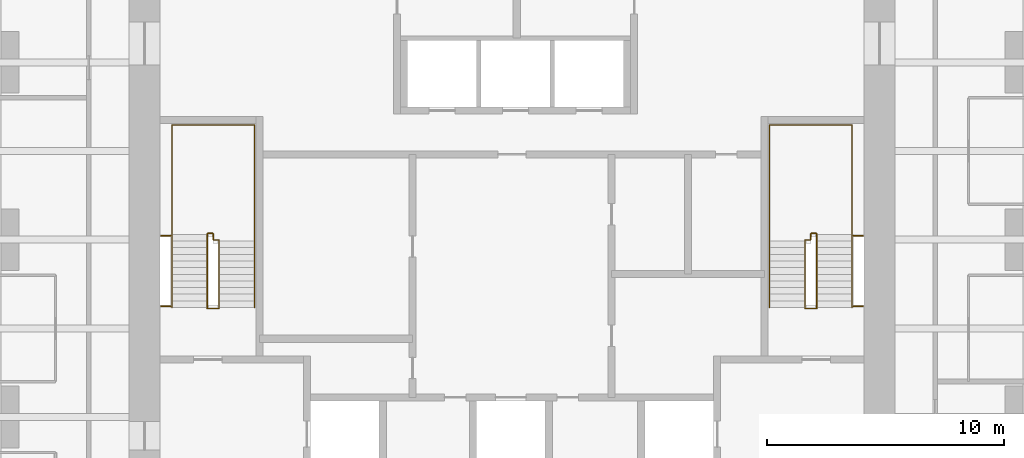
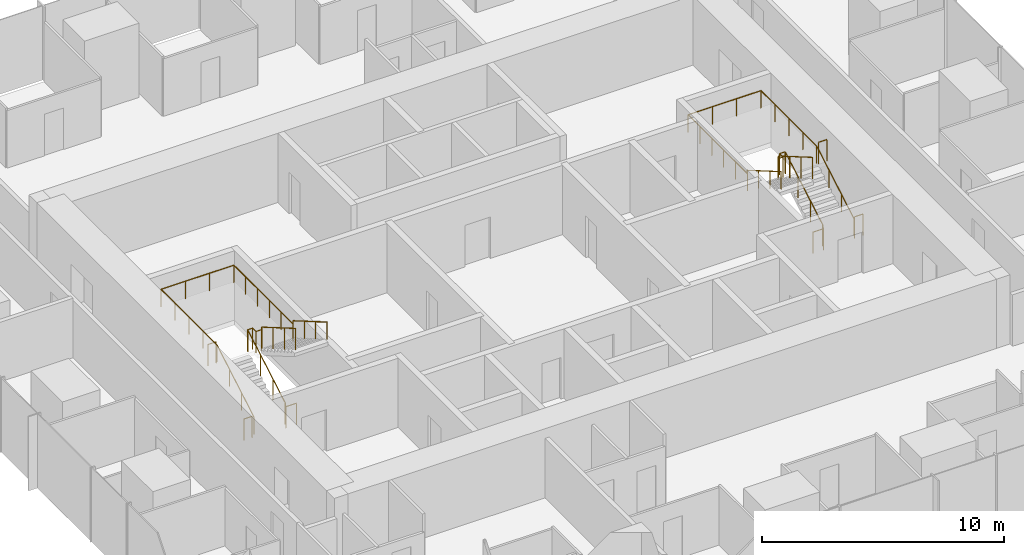
# One storey, part 12 of 12: 8 railings.
"""IFC4 building model written with IfcOpenShell, lengths in metres."""

from ifc_helpers import new_model, si_unit, direction, frame, origin, origin_2d, place, context, subcontext, project, spatial, circle, extrude, material, type_object, element, save


model = new_model("IFC4")

# Units and contexts
model_context = context("Model", 3, precision=1e-05, world=origin(), true_north=direction((0.0, 1.0)))
body_context = subcontext(model_context, "Body", "Model", "MODEL_VIEW")
ifc_project = project(units=[si_unit("LENGTHUNIT", "METRE"), si_unit("AREAUNIT", "SQUARE_METRE"), si_unit("VOLUMEUNIT", "CUBIC_METRE"), si_unit("PLANEANGLEUNIT", "RADIAN"), si_unit("MASSUNIT", "GRAM", prefix="KILO")], contexts=[model_context])

# Site, building, storey
site_placement = place(None, origin())
site = spatial("IfcSite", under=ifc_project, at=site_placement, CompositionType="ELEMENT")
building_placement = place(site_placement, origin())
building = spatial("IfcBuilding", under=site, at=building_placement, Name="Khuree Lantern Residences", CompositionType="ELEMENT")
storey_placement = place(building_placement, frame((0.0, 0.0, 297.0)))
storey = spatial("IfcBuildingStorey", under=building, at=storey_placement, Name="L74", CompositionType="ELEMENT", Elevation=297.0)

# Railings
ifc_material = material(Name="Steel S355", Category="steel")
railing_type_1 = type_object("IfcRailingType", Name="STAIR GUARD G1 1100", PredefinedType="GUARDRAIL", material=ifc_material)
railing_1_placement = place(storey_placement, frame((-12.35009765625, -2.909912109375, 0.0)))
element("IfcRailing", 1, at=railing_1_placement, inside=storey, type_object=railing_type_1, Name="Stair ST1 guard", PredefinedType="GUARDRAIL", context=body_context, shape_type="SweptSolid", body=[
    extrude(circle(Radius=0.02392578125, at=origin_2d()), frame((0.0, 0.0, 1.076171875), z_axis=(-1.0, 0.0, 0.0), x_axis=(0.0, -1.0, 0.0)), (0.0, 0.0, 1.0), 0.5),
    extrude(circle(Radius=0.02392578125, at=origin_2d()), frame((-0.5, 0.0, 1.076171875), z_axis=(0.0, 0.292073035251, 0.95639601739), x_axis=(-1.0, 0.0, 0.0)), (0.0, 0.0, 1.0), 0.17041015625),
    extrude(circle(Radius=0.02392578125, at=origin_2d()), frame((-0.5, 0.0498046875, 1.2392578125), z_axis=(0.0, 0.864176135923, 0.503189433615), x_axis=(-1.0, 0.0, 0.0)), (0.0, 0.0, 1.0), 3.564208984375),
    extrude(circle(Radius=0.02392578125, at=origin_2d()), frame((-0.5, 3.1298828125, 3.03271484375), z_axis=(0.0, 1.0, 0.0), x_axis=(-1.0, 0.0, 0.0)), (0.0, 0.0, 1.0), 0.050048828125),
    extrude(circle(Radius=0.02392578125, at=origin_2d()), frame((-0.5, 3.179931640625, 3.03271484375), z_axis=(1.0, 0.0, 0.0), x_axis=(0.0, 1.0, 0.0)), (0.0, 0.0, 1.0), 0.25),
    extrude(circle(Radius=0.02392578125, at=origin_2d()), frame((-0.25, 3.179931640625, 3.03271484375), z_axis=(0.0, -1.0, 0.0), x_axis=(1.0, 0.0, 0.0)), (0.0, 0.0, 1.0), 0.280029296875),
    extrude(circle(Radius=0.02392578125, at=origin_2d()), frame((-0.25, 2.89990234375, 3.03271484375), z_axis=(1.0, 0.0, 0.0), x_axis=(0.0, 1.0, 0.0)), (0.0, 0.0, 1.0), 0.25),
    extrude(circle(Radius=0.02392578125, at=origin_2d()), frame((0.0, 2.89990234375, 3.03271484375), z_axis=(0.0, -0.293381807449, 0.955995353053), x_axis=(1.0, 0.0, 0.0)), (0.0, 0.0, 1.0), 0.170654296875),
    extrude(circle(Radius=0.02392578125, at=origin_2d()), frame((0.0, 2.849853515625, 3.19580078125), z_axis=(0.0, -0.864180358799, 0.503182181189), x_axis=(1.0, 0.0, 0.0)), (0.0, 0.0, 1.0), 3.240234375),
    extrude(circle(Radius=0.02099609375, at=origin_2d()), origin(), (0.0, 0.0, 1.0), 1.052001953125),
    extrude(circle(Radius=0.02099609375, at=origin_2d()), frame((-0.5, 0.0, 0.0)), (0.0, 0.0, 1.0), 1.052001953125),
    extrude(circle(Radius=0.02099609375, at=origin_2d()), frame((-0.5, 0.0498046875, 0.1630859375)), (0.0, 0.0, 1.0), 1.052001953125),
    extrude(circle(Radius=0.02099609375, at=origin_2d()), frame((-0.5, 1.076416015625, 0.760986328125)), (0.0, 0.0, 1.0), 1.052001953125),
    extrude(circle(Radius=0.02099609375, at=origin_2d()), frame((-0.5, 2.103271484375, 1.358642578125)), (0.0, 0.0, 1.0), 1.052001953125),
    extrude(circle(Radius=0.02099609375, at=origin_2d()), frame((-0.5, 3.1298828125, 1.95654296875)), (0.0, 0.0, 1.0), 1.052001953125),
    extrude(circle(Radius=0.02099609375, at=origin_2d()), frame((-0.5, 3.179931640625, 1.95654296875)), (0.0, 0.0, 1.0), 1.052001953125),
    extrude(circle(Radius=0.02099609375, at=origin_2d()), frame((-0.25, 3.179931640625, 1.95654296875)), (0.0, 0.0, 1.0), 1.052001953125),
    extrude(circle(Radius=0.02099609375, at=origin_2d()), frame((-0.25, 2.89990234375, 1.95654296875)), (0.0, 0.0, 1.0), 1.052001953125),
    extrude(circle(Radius=0.02099609375, at=origin_2d()), frame((0.0, 2.89990234375, 1.95654296875)), (0.0, 0.0, 1.0), 1.052001953125),
    extrude(circle(Radius=0.02099609375, at=origin_2d()), frame((0.0, 2.849853515625, 2.11962890625)), (0.0, 0.0, 1.0), 1.052001953125),
    extrude(circle(Radius=0.02099609375, at=origin_2d()), frame((0.0, 1.91650390625, 2.6630859375)), (0.0, 0.0, 1.0), 1.052001953125),
    extrude(circle(Radius=0.02099609375, at=origin_2d()), frame((0.0, 0.983154296875, 3.20654296875)), (0.0, 0.0, 1.0), 1.052001953125),
    extrude(circle(Radius=0.02099609375, at=origin_2d()), frame((0.0, 0.0498046875, 3.75)), (0.0, 0.0, 1.0), 1.052001953125),
])
for number, where, name in (
    (2, (-14.800048828125, -2.81005859375, 0.0), "Stair ST1 landing slot guard"),
    (3, (-14.800048828125, 0.169921875, 1.95654296875), "Stair ST1 landing slot guard"),
):
    element("IfcRailing", number, at=place(storey_placement, frame(where)), inside=storey, type_object=railing_type_1, Name=name, PredefinedType="GUARDRAIL", context=body_context, shape_type="SweptSolid", body=[
        extrude(circle(Radius=0.02392578125, at=origin_2d()), frame((0.0, 0.0, 1.076171875), z_axis=(1.0, 0.0, 0.0), x_axis=(0.0, 1.0, 0.0)), (0.0, 0.0, 1.0), 0.400146484375),
        extrude(circle(Radius=0.02099609375, at=origin_2d()), origin(), (0.0, 0.0, 1.0), 1.052001953125),
        extrude(circle(Radius=0.02099609375, at=origin_2d()), frame((0.400146484375, 0.0, 0.0)), (0.0, 0.0, 1.0), 1.052001953125),
    ])
railing_2_placement = place(storey_placement, frame((12.35009765625, -2.909912109375, 0.0)))
element("IfcRailing", 4, at=railing_2_placement, inside=storey, type_object=railing_type_1, Name="Stair ST2 guard", PredefinedType="GUARDRAIL", context=body_context, shape_type="SweptSolid", body=[
    extrude(circle(Radius=0.02392578125, at=origin_2d()), frame((0.0, 0.0, 1.076171875), z_axis=(1.0, 0.0, 0.0), x_axis=(0.0, 1.0, 0.0)), (0.0, 0.0, 1.0), 0.5),
    extrude(circle(Radius=0.02392578125, at=origin_2d()), frame((0.5, 0.0, 1.076171875), z_axis=(0.0, 0.292073035251, 0.95639601739), x_axis=(-1.0, 0.0, 0.0)), (0.0, 0.0, 1.0), 0.17041015625),
    extrude(circle(Radius=0.02392578125, at=origin_2d()), frame((0.5, 0.0498046875, 1.2392578125), z_axis=(0.0, 0.864176135923, 0.503189433615), x_axis=(-1.0, 0.0, 0.0)), (0.0, 0.0, 1.0), 3.564208984375),
    extrude(circle(Radius=0.02392578125, at=origin_2d()), frame((0.5, 3.1298828125, 3.03271484375), z_axis=(0.0, 1.0, 0.0), x_axis=(-1.0, 0.0, 0.0)), (0.0, 0.0, 1.0), 0.050048828125),
    extrude(circle(Radius=0.02392578125, at=origin_2d()), frame((0.5, 3.179931640625, 3.03271484375), z_axis=(-1.0, 0.0, 0.0), x_axis=(0.0, -1.0, 0.0)), (0.0, 0.0, 1.0), 0.25),
    extrude(circle(Radius=0.02392578125, at=origin_2d()), frame((0.25, 3.179931640625, 3.03271484375), z_axis=(0.0, -1.0, 0.0), x_axis=(1.0, 0.0, 0.0)), (0.0, 0.0, 1.0), 0.280029296875),
    extrude(circle(Radius=0.02392578125, at=origin_2d()), frame((0.25, 2.89990234375, 3.03271484375), z_axis=(-1.0, 0.0, 0.0), x_axis=(0.0, -1.0, 0.0)), (0.0, 0.0, 1.0), 0.25),
    extrude(circle(Radius=0.02392578125, at=origin_2d()), frame((0.0, 2.89990234375, 3.03271484375), z_axis=(0.0, -0.293381807449, 0.955995353053), x_axis=(1.0, 0.0, 0.0)), (0.0, 0.0, 1.0), 0.170654296875),
    extrude(circle(Radius=0.02392578125, at=origin_2d()), frame((0.0, 2.849853515625, 3.19580078125), z_axis=(0.0, -0.864180358799, 0.503182181189), x_axis=(1.0, 0.0, 0.0)), (0.0, 0.0, 1.0), 3.240234375),
    extrude(circle(Radius=0.02099609375, at=origin_2d()), origin(), (0.0, 0.0, 1.0), 1.052001953125),
    extrude(circle(Radius=0.02099609375, at=origin_2d()), frame((0.5, 0.0, 0.0)), (0.0, 0.0, 1.0), 1.052001953125),
    extrude(circle(Radius=0.02099609375, at=origin_2d()), frame((0.5, 0.0498046875, 0.1630859375)), (0.0, 0.0, 1.0), 1.052001953125),
    extrude(circle(Radius=0.02099609375, at=origin_2d()), frame((0.5, 1.076416015625, 0.760986328125)), (0.0, 0.0, 1.0), 1.052001953125),
    extrude(circle(Radius=0.02099609375, at=origin_2d()), frame((0.5, 2.103271484375, 1.358642578125)), (0.0, 0.0, 1.0), 1.052001953125),
    extrude(circle(Radius=0.02099609375, at=origin_2d()), frame((0.5, 3.1298828125, 1.95654296875)), (0.0, 0.0, 1.0), 1.052001953125),
    extrude(circle(Radius=0.02099609375, at=origin_2d()), frame((0.5, 3.179931640625, 1.95654296875)), (0.0, 0.0, 1.0), 1.052001953125),
    extrude(circle(Radius=0.02099609375, at=origin_2d()), frame((0.25, 3.179931640625, 1.95654296875)), (0.0, 0.0, 1.0), 1.052001953125),
    extrude(circle(Radius=0.02099609375, at=origin_2d()), frame((0.25, 2.89990234375, 1.95654296875)), (0.0, 0.0, 1.0), 1.052001953125),
    extrude(circle(Radius=0.02099609375, at=origin_2d()), frame((0.0, 2.89990234375, 1.95654296875)), (0.0, 0.0, 1.0), 1.052001953125),
    extrude(circle(Radius=0.02099609375, at=origin_2d()), frame((0.0, 2.849853515625, 2.11962890625)), (0.0, 0.0, 1.0), 1.052001953125),
    extrude(circle(Radius=0.02099609375, at=origin_2d()), frame((0.0, 1.91650390625, 2.6630859375)), (0.0, 0.0, 1.0), 1.052001953125),
    extrude(circle(Radius=0.02099609375, at=origin_2d()), frame((0.0, 0.983154296875, 3.20654296875)), (0.0, 0.0, 1.0), 1.052001953125),
    extrude(circle(Radius=0.02099609375, at=origin_2d()), frame((0.0, 0.0498046875, 3.75)), (0.0, 0.0, 1.0), 1.052001953125),
])
for number, where, name in (
    (5, (14.800048828125, -2.81005859375, 0.0), "Stair ST2 landing slot guard"),
    (6, (14.800048828125, 0.169921875, 1.95654296875), "Stair ST2 landing slot guard"),
):
    element("IfcRailing", number, at=place(storey_placement, frame(where)), inside=storey, type_object=railing_type_1, Name=name, PredefinedType="GUARDRAIL", context=body_context, shape_type="SweptSolid", body=[
        extrude(circle(Radius=0.02392578125, at=origin_2d()), frame((0.0, 0.0, 1.076171875), z_axis=(-1.0, 0.0, 0.0), x_axis=(0.0, -1.0, 0.0)), (0.0, 0.0, 1.0), 0.400146484375),
        extrude(circle(Radius=0.02099609375, at=origin_2d()), origin(), (0.0, 0.0, 1.0), 1.052001953125),
        extrude(circle(Radius=0.02099609375, at=origin_2d()), frame((-0.400146484375, 0.0, 0.0)), (0.0, 0.0, 1.0), 1.052001953125),
    ])
railing_type_2 = type_object("IfcRailingType", Name="STAIR HANDRAIL H1 900", PredefinedType="HANDRAIL", material=ifc_material)
railing_3_placement = place(storey_placement, frame((-14.340087890625, -2.860107421875, 0.1630859375)))
element("IfcRailing", 7, at=railing_3_placement, inside=storey, type_object=railing_type_2, Name="Stair ST1 handrail", PredefinedType="HANDRAIL", context=body_context, shape_type="SweptSolid", body=[
    extrude(circle(Radius=0.02392578125, at=origin_2d()), frame((0.0, 0.0, 0.8759765625), z_axis=(0.0, 0.864176135923, 0.503189433615), x_axis=(-1.0, 0.0, 0.0)), (0.0, 0.0, 1.0), 3.564208984375),
    extrude(circle(Radius=0.02392578125, at=origin_2d()), frame((0.0, 3.080078125, 2.66943359375), z_axis=(0.0, 1.0, 0.0), x_axis=(-1.0, 0.0, 0.0)), (0.0, 0.0, 1.0), 4.6201171875),
    extrude(circle(Radius=0.02392578125, at=origin_2d()), frame((0.0, 7.7001953125, 2.66943359375), z_axis=(1.0, 0.0, 0.0), x_axis=(0.0, 1.0, 0.0)), (0.0, 0.0, 1.0), 3.47998046875),
    extrude(circle(Radius=0.02392578125, at=origin_2d()), frame((3.47998046875, 7.7001953125, 2.66943359375), z_axis=(0.0, -1.0, 0.0), x_axis=(1.0, 0.0, 0.0)), (0.0, 0.0, 1.0), 4.900146484375),
    extrude(circle(Radius=0.02392578125, at=origin_2d()), frame((3.47998046875, 2.800048828125, 2.66943359375), z_axis=(0.0, 0.0, 1.0), x_axis=(1.0, 0.0, 0.0)), (0.0, 0.0, 1.0), 0.1630859375),
    extrude(circle(Radius=0.02392578125, at=origin_2d()), frame((3.47998046875, 2.800048828125, 2.83251953125), z_axis=(0.0, -0.864180358799, 0.503182181189), x_axis=(1.0, 0.0, 0.0)), (0.0, 0.0, 1.0), 3.240234375),
    extrude(circle(Radius=0.02099609375, at=origin_2d()), origin(), (0.0, 0.0, 1.0), 0.851806640625),
    extrude(circle(Radius=0.02099609375, at=origin_2d()), frame((0.0, 1.026611328125, 0.597900390625)), (0.0, 0.0, 1.0), 0.851806640625),
    extrude(circle(Radius=0.02099609375, at=origin_2d()), frame((0.0, 2.053466796875, 1.195556640625)), (0.0, 0.0, 1.0), 0.851806640625),
    extrude(circle(Radius=0.02099609375, at=origin_2d()), frame((0.0, 3.080078125, 1.79345703125)), (0.0, 0.0, 1.0), 0.851806640625),
    extrude(circle(Radius=0.02099609375, at=origin_2d()), frame((0.0, 4.235107421875, 1.79345703125)), (0.0, 0.0, 1.0), 0.851806640625),
    extrude(circle(Radius=0.02099609375, at=origin_2d()), frame((0.0, 5.39013671875, 1.79345703125)), (0.0, 0.0, 1.0), 0.851806640625),
    extrude(circle(Radius=0.02099609375, at=origin_2d()), frame((0.0, 6.545166015625, 1.79345703125)), (0.0, 0.0, 1.0), 0.851806640625),
    extrude(circle(Radius=0.02099609375, at=origin_2d()), frame((0.0, 7.7001953125, 1.79345703125)), (0.0, 0.0, 1.0), 0.851806640625),
    extrude(circle(Radius=0.02099609375, at=origin_2d()), frame((1.159912109375, 7.7001953125, 1.79345703125)), (0.0, 0.0, 1.0), 0.851806640625),
    extrude(circle(Radius=0.02099609375, at=origin_2d()), frame((2.320068359375, 7.7001953125, 1.79345703125)), (0.0, 0.0, 1.0), 0.851806640625),
    extrude(circle(Radius=0.02099609375, at=origin_2d()), frame((3.47998046875, 7.7001953125, 1.79345703125)), (0.0, 0.0, 1.0), 0.851806640625),
    extrude(circle(Radius=0.02099609375, at=origin_2d()), frame((3.47998046875, 6.72021484375, 1.79345703125)), (0.0, 0.0, 1.0), 0.851806640625),
    extrude(circle(Radius=0.02099609375, at=origin_2d()), frame((3.47998046875, 5.740234375, 1.79345703125)), (0.0, 0.0, 1.0), 0.851806640625),
    extrude(circle(Radius=0.02099609375, at=origin_2d()), frame((3.47998046875, 4.760009765625, 1.79345703125)), (0.0, 0.0, 1.0), 0.851806640625),
    extrude(circle(Radius=0.02099609375, at=origin_2d()), frame((3.47998046875, 3.780029296875, 1.79345703125)), (0.0, 0.0, 1.0), 0.851806640625),
    extrude(circle(Radius=0.02099609375, at=origin_2d()), frame((3.47998046875, 2.800048828125, 1.79345703125)), (0.0, 0.0, 1.0), 0.851806640625),
    extrude(circle(Radius=0.02099609375, at=origin_2d()), frame((3.47998046875, 2.800048828125, 1.95654296875)), (0.0, 0.0, 1.0), 0.851806640625),
    extrude(circle(Radius=0.02099609375, at=origin_2d()), frame((3.47998046875, 1.86669921875, 2.5)), (0.0, 0.0, 1.0), 0.851806640625),
    extrude(circle(Radius=0.02099609375, at=origin_2d()), frame((3.47998046875, 0.933349609375, 3.04345703125)), (0.0, 0.0, 1.0), 0.851806640625),
    extrude(circle(Radius=0.02099609375, at=origin_2d()), frame((3.47998046875, 0.0, 3.5869140625)), (0.0, 0.0, 1.0), 0.851806640625),
])
railing_4_placement = place(storey_placement, frame((14.340087890625, -2.860107421875, 0.1630859375)))
element("IfcRailing", 8, at=railing_4_placement, inside=storey, type_object=railing_type_2, Name="Stair ST2 handrail", PredefinedType="HANDRAIL", context=body_context, shape_type="SweptSolid", body=[
    extrude(circle(Radius=0.02392578125, at=origin_2d()), frame((0.0, 0.0, 0.8759765625), z_axis=(0.0, 0.864176135923, 0.503189433615), x_axis=(-1.0, 0.0, 0.0)), (0.0, 0.0, 1.0), 3.564208984375),
    extrude(circle(Radius=0.02392578125, at=origin_2d()), frame((0.0, 3.080078125, 2.66943359375), z_axis=(0.0, 1.0, 0.0), x_axis=(-1.0, 0.0, 0.0)), (0.0, 0.0, 1.0), 4.6201171875),
    extrude(circle(Radius=0.02392578125, at=origin_2d()), frame((0.0, 7.7001953125, 2.66943359375), z_axis=(-1.0, 0.0, 0.0), x_axis=(0.0, -1.0, 0.0)), (0.0, 0.0, 1.0), 3.47998046875),
    extrude(circle(Radius=0.02392578125, at=origin_2d()), frame((-3.47998046875, 7.7001953125, 2.66943359375), z_axis=(0.0, -1.0, 0.0), x_axis=(1.0, 0.0, 0.0)), (0.0, 0.0, 1.0), 4.900146484375),
    extrude(circle(Radius=0.02392578125, at=origin_2d()), frame((-3.47998046875, 2.800048828125, 2.66943359375), z_axis=(0.0, 0.0, 1.0), x_axis=(1.0, 0.0, 0.0)), (0.0, 0.0, 1.0), 0.1630859375),
    extrude(circle(Radius=0.02392578125, at=origin_2d()), frame((-3.47998046875, 2.800048828125, 2.83251953125), z_axis=(0.0, -0.864180358799, 0.503182181189), x_axis=(1.0, 0.0, 0.0)), (0.0, 0.0, 1.0), 3.240234375),
    extrude(circle(Radius=0.02099609375, at=origin_2d()), origin(), (0.0, 0.0, 1.0), 0.851806640625),
    extrude(circle(Radius=0.02099609375, at=origin_2d()), frame((0.0, 1.026611328125, 0.597900390625)), (0.0, 0.0, 1.0), 0.851806640625),
    extrude(circle(Radius=0.02099609375, at=origin_2d()), frame((0.0, 2.053466796875, 1.195556640625)), (0.0, 0.0, 1.0), 0.851806640625),
    extrude(circle(Radius=0.02099609375, at=origin_2d()), frame((0.0, 3.080078125, 1.79345703125)), (0.0, 0.0, 1.0), 0.851806640625),
    extrude(circle(Radius=0.02099609375, at=origin_2d()), frame((0.0, 4.235107421875, 1.79345703125)), (0.0, 0.0, 1.0), 0.851806640625),
    extrude(circle(Radius=0.02099609375, at=origin_2d()), frame((0.0, 5.39013671875, 1.79345703125)), (0.0, 0.0, 1.0), 0.851806640625),
    extrude(circle(Radius=0.02099609375, at=origin_2d()), frame((0.0, 6.545166015625, 1.79345703125)), (0.0, 0.0, 1.0), 0.851806640625),
    extrude(circle(Radius=0.02099609375, at=origin_2d()), frame((0.0, 7.7001953125, 1.79345703125)), (0.0, 0.0, 1.0), 0.851806640625),
    extrude(circle(Radius=0.02099609375, at=origin_2d()), frame((-1.159912109375, 7.7001953125, 1.79345703125)), (0.0, 0.0, 1.0), 0.851806640625),
    extrude(circle(Radius=0.02099609375, at=origin_2d()), frame((-2.320068359375, 7.7001953125, 1.79345703125)), (0.0, 0.0, 1.0), 0.851806640625),
    extrude(circle(Radius=0.02099609375, at=origin_2d()), frame((-3.47998046875, 7.7001953125, 1.79345703125)), (0.0, 0.0, 1.0), 0.851806640625),
    extrude(circle(Radius=0.02099609375, at=origin_2d()), frame((-3.47998046875, 6.72021484375, 1.79345703125)), (0.0, 0.0, 1.0), 0.851806640625),
    extrude(circle(Radius=0.02099609375, at=origin_2d()), frame((-3.47998046875, 5.740234375, 1.79345703125)), (0.0, 0.0, 1.0), 0.851806640625),
    extrude(circle(Radius=0.02099609375, at=origin_2d()), frame((-3.47998046875, 4.760009765625, 1.79345703125)), (0.0, 0.0, 1.0), 0.851806640625),
    extrude(circle(Radius=0.02099609375, at=origin_2d()), frame((-3.47998046875, 3.780029296875, 1.79345703125)), (0.0, 0.0, 1.0), 0.851806640625),
    extrude(circle(Radius=0.02099609375, at=origin_2d()), frame((-3.47998046875, 2.800048828125, 1.79345703125)), (0.0, 0.0, 1.0), 0.851806640625),
    extrude(circle(Radius=0.02099609375, at=origin_2d()), frame((-3.47998046875, 2.800048828125, 1.95654296875)), (0.0, 0.0, 1.0), 0.851806640625),
    extrude(circle(Radius=0.02099609375, at=origin_2d()), frame((-3.47998046875, 1.86669921875, 2.5)), (0.0, 0.0, 1.0), 0.851806640625),
    extrude(circle(Radius=0.02099609375, at=origin_2d()), frame((-3.47998046875, 0.933349609375, 3.04345703125)), (0.0, 0.0, 1.0), 0.851806640625),
    extrude(circle(Radius=0.02099609375, at=origin_2d()), frame((-3.47998046875, 0.0, 3.5869140625)), (0.0, 0.0, 1.0), 0.851806640625),
])

save(model, "model.ifc")
